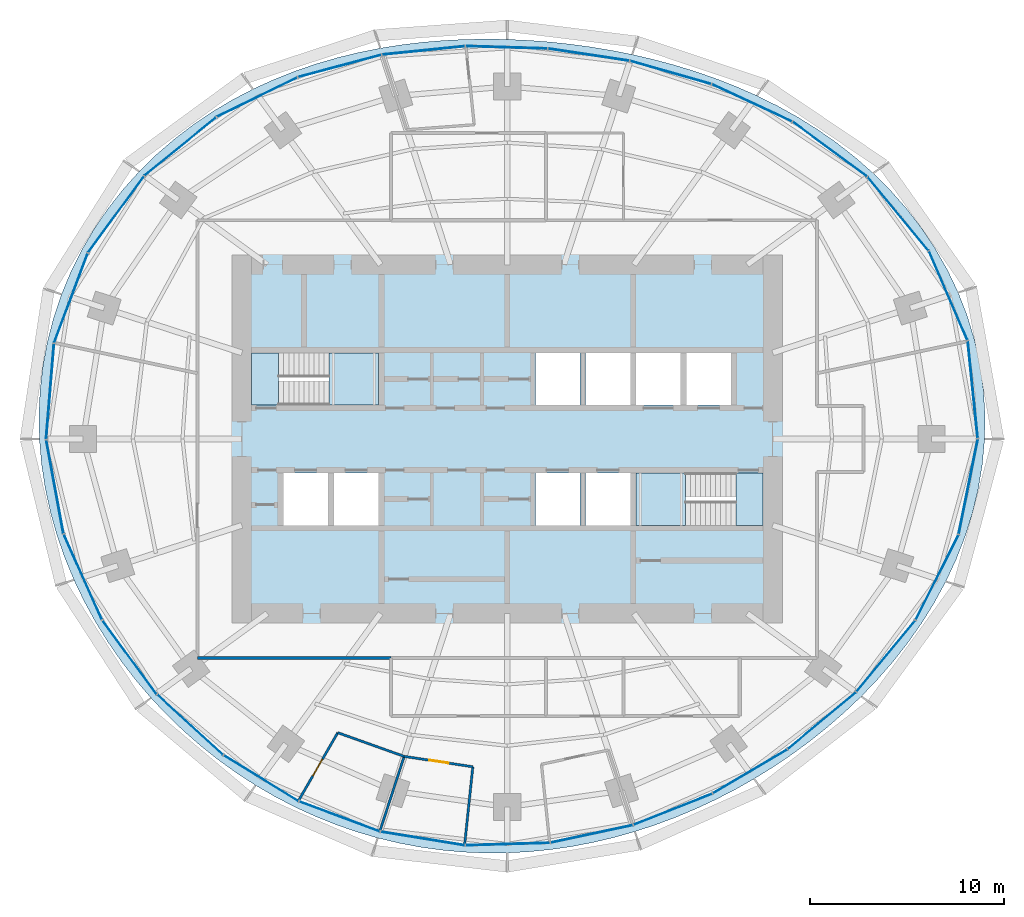
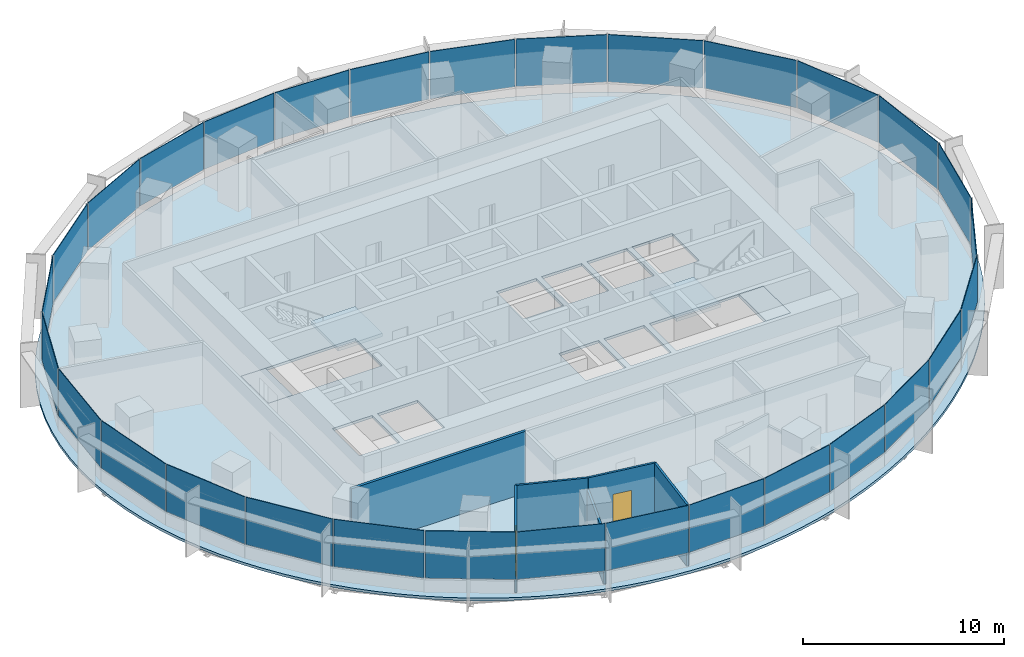
# One storey, part 9 of 15: 30 plates, 6 walls, 5 slabs, 2 doors, 2 openings, 8 elements without a shape of their own.
"""IFC4 building model written with IfcOpenShell, lengths in metres."""

from ifc_helpers import new_model, si_unit, direction, frame, frame_2d, origin, origin_2d, place, context, subcontext, project, spatial, polyline, rectangle, outline, extrude, material, layer, layer_set, type_object, element, fill, aggregate, save


model = new_model("IFC4")

# Units and contexts
model_context = context("Model", 3, precision=1e-05, world=origin(), true_north=direction((0.0, 1.0)))
body_context = subcontext(model_context, "Body", "Model", "MODEL_VIEW")
ifc_project = project(units=[si_unit("LENGTHUNIT", "METRE"), si_unit("AREAUNIT", "SQUARE_METRE"), si_unit("VOLUMEUNIT", "CUBIC_METRE"), si_unit("PLANEANGLEUNIT", "RADIAN"), si_unit("MASSUNIT", "GRAM", prefix="KILO")], contexts=[model_context])

# Site, building, storey
site_placement = place(None, origin())
site = spatial("IfcSite", under=ifc_project, at=site_placement, CompositionType="ELEMENT")
building_placement = place(site_placement, origin())
building = spatial("IfcBuilding", under=site, at=building_placement, Name="Marramba Exchange Tower", CompositionType="ELEMENT")
storey_placement = place(building_placement, frame((0.0, 0.0, 226.699951171875)))
storey = spatial("IfcBuildingStorey", under=building, at=storey_placement, Name="L55", CompositionType="ELEMENT", Elevation=226.699951171875)

# Slab
ifc_material_1 = material(Name="Concrete N40", Category="concrete")
ifc_layer_1 = layer(ifc_material_1, 0.159912109375)
ifc_layer_set_1 = layer_set([ifc_layer_1], Name="Composite floor slab 160")
slab_type_1 = type_object("IfcSlabType", Name="Composite floor slab 160", PredefinedType="FLOOR", material=ifc_layer_set_1)
slab_1_placement = place(storey_placement, frame((0.0, 0.0, -0.159912109375)))
element("IfcSlab", 1, at=slab_1_placement, inside=storey, type_object=slab_type_1, Name="Floor slab L55", PredefinedType="FLOOR", context=body_context, shape_type="SweptSolid", body=[
    extrude(outline(polyline([(24.64404296875, 0.0), (24.661376953125, 1.29248046875), (24.580078125, 2.58349609375), (24.399658203125, 3.864501953125), (24.12109375, 5.127197265625), (23.7470703125, 6.363037109375), (23.281494140625, 7.564697265625), (22.72900390625, 8.724853515625), (22.095947265625, 9.837646484375), (21.388427734375, 10.89794921875), (20.614013671875, 11.901611328125), (19.780029296875, 12.845458984375), (18.894287109375, 13.7275390625), (17.964111328125, 14.547119140625), (16.996826171875, 15.303955078125), (15.9990234375, 15.9990234375), (14.977294921875, 16.634033203125), (13.936767578125, 17.21044921875), (12.882568359375, 17.7314453125), (11.819091796875, 18.19970703125), (10.749267578125, 18.6181640625), (9.67578125, 18.989990234375), (8.60107421875, 19.318115234375), (7.52587890625, 19.60546875), (6.451171875, 19.8544921875), (5.377197265625, 20.067626953125), (4.303466796875, 20.246337890625), (3.229736328125, 20.39208984375), (2.1552734375, 20.50537109375), (1.078857421875, 20.5869140625), (0.0, 20.63623046875), (-1.082275390625, 20.652587890625), (-2.168701171875, 20.634765625), (-3.259765625, 20.580810546875), (-4.35498046875, 20.4892578125), (-5.45458984375, 20.35693359375), (-6.557373046875, 20.181884765625), (-7.662353515625, 19.9609375), (-8.76708984375, 19.691162109375), (-9.869384765625, 19.369873046875), (-10.96630859375, 18.994384765625), (-12.05419921875, 18.561767578125), (-13.128662109375, 18.070068359375), (-14.185546875, 17.517578125), (-15.218994140625, 16.902587890625), (-16.22412109375, 16.22412109375), (-17.195068359375, 15.482421875), (-18.12548828125, 14.677734375), (-19.009521484375, 13.811279296875), (-19.841064453125, 12.885009765625), (-20.614013671875, 11.901611328125), (-21.32275390625, 10.864501953125), (-21.9619140625, 9.778076171875), (-22.52685546875, 8.647216796875), (-23.01318359375, 7.477294921875), (-23.417724609375, 6.274658203125), (-23.73779296875, 5.045654296875), (-23.971923828125, 3.796875), (-24.119384765625, 2.53515625), (-24.180419921875, 1.267333984375), (-24.156005859375, 0.0), (-24.04833984375, -1.26025390625), (-23.860107421875, -2.5078125), (-23.594482421875, -3.737060546875), (-23.25537109375, -4.943115234375), (-22.846923828125, -6.121826171875), (-22.373291015625, -7.26953125), (-21.8388671875, -8.38330078125), (-21.247802734375, -9.460205078125), (-20.604248046875, -10.49853515625), (-19.912109375, -11.496337890625), (-19.174560546875, -12.4521484375), (-18.395263671875, -13.364990234375), (-17.5771484375, -14.233642578125), (-16.72265625, -15.05712890625), (-15.834228515625, -15.834228515625), (-14.914794921875, -16.564453125), (-13.966064453125, -17.24658203125), (-12.990234375, -17.879638671875), (-11.98974609375, -18.46240234375), (-10.96630859375, -18.994384765625), (-9.922607421875, -19.47412109375), (-8.860595703125, -19.901123046875), (-7.78271484375, -20.2744140625), (-6.691162109375, -20.593505859375), (-5.5888671875, -20.858154296875), (-4.478271484375, -21.068115234375), (-3.361328125, -21.22314453125), (-2.2412109375, -21.32373046875), (-1.119873046875, -21.370361328125), (0.0, -21.36376953125), (1.116455078125, -21.3046875), (2.2275390625, -21.194580078125), (3.33154296875, -21.0341796875), (4.426513671875, -20.8251953125), (5.511474609375, -20.56884765625), (6.5849609375, -20.266357421875), (7.646240234375, -19.919189453125), (8.694580078125, -19.528076171875), (9.72900390625, -19.09423828125), (10.749267578125, -18.6181640625), (11.75439453125, -18.100341796875), (12.744140625, -17.541015625), (13.71728515625, -16.939697265625), (14.6728515625, -16.2958984375), (15.609130859375, -15.609130859375), (16.5244140625, -14.878662109375), (17.415771484375, -14.10302734375), (18.280029296875, -13.28125), (19.11376953125, -12.41259765625), (19.912109375, -11.496337890625), (20.669921875, -10.531982421875), (21.3818359375, -9.519775390625), (22.041259765625, -8.4609375), (22.641845703125, -7.356689453125), (23.176513671875, -6.210205078125), (23.638671875, -5.024658203125), (24.022216796875, -3.8046875), (24.32080078125, -2.55615234375), (24.529541015625, -1.28564453125), (24.64404296875, 0.0)]), holes=[polyline([(1.449951171875, 1.75), (3.75, 1.75), (3.75, 4.449951171875), (1.449951171875, 4.449951171875), (1.449951171875, 1.75)]), polyline([(4.050048828125, 1.75), (6.35009765625, 1.75), (6.35009765625, 4.449951171875), (4.050048828125, 4.449951171875), (4.050048828125, 1.75)]), polyline([(1.449951171875, -4.449951171875), (3.75, -4.449951171875), (3.75, -1.75), (1.449951171875, -1.75), (1.449951171875, -4.449951171875)]), polyline([(4.050048828125, -4.449951171875), (6.35009765625, -4.449951171875), (6.35009765625, -1.75), (4.050048828125, -1.75), (4.050048828125, -4.449951171875)]), polyline([(6.64990234375, 1.75), (8.949951171875, 1.75), (8.949951171875, 4.449951171875), (6.64990234375, 4.449951171875), (6.64990234375, 1.75)]), polyline([(-8.949951171875, -4.449951171875), (-6.64990234375, -4.449951171875), (-6.64990234375, -1.75), (-8.949951171875, -1.75), (-8.949951171875, -4.449951171875)]), polyline([(-11.550048828125, -4.449951171875), (-9.25, -4.449951171875), (-9.25, -1.75), (-11.550048828125, -1.75), (-11.550048828125, -4.449951171875)]), polyline([(9.25, 1.75), (11.550048828125, 1.75), (11.550048828125, 4.449951171875), (9.25, 4.449951171875), (9.25, 1.75)]), polyline([(-13.199951171875, 1.75), (-6.64990234375, 1.75), (-6.64990234375, 4.449951171875), (-13.199951171875, 4.449951171875), (-13.199951171875, 1.75)]), polyline([(6.64990234375, -4.449951171875), (13.199951171875, -4.449951171875), (13.199951171875, -1.75), (6.64990234375, -1.75), (6.64990234375, -4.449951171875)])]), origin(), (0.0, 0.0, 1.0), 0.159912109375),
])

# Curtain wall, plates
ifc_material_2 = material(Name="Aluminium framing, bronze anodised", Category="aluminium")
curtain_wall_type = type_object("IfcCurtainWallType", Name="Office ribbon curtain wall", PredefinedType="USERDEFINED", material=ifc_material_2)
curtain_wall_1_placement = place(storey_placement, origin())
curtain_wall_1 = element("IfcCurtainWall", 2, at=curtain_wall_1_placement, inside=storey, type_object=curtain_wall_type, Name="Curtain wall CW4 L55 F01-F05", ObjectType="RIBBON CURTAIN WALL", PredefinedType="USERDEFINED")
ifc_material_3 = material(Name="Laminated double glazed unit 10.76 + 16 + 10.76, bronze tinted", Category="glass")
ifc_layer_2 = layer(ifc_material_3, 0.03759765625)
ifc_layer_set_2 = layer_set([ifc_layer_2], Name="Office ribbon curtain wall panel")
plate_type = type_object("IfcPlateType", Name="Office ribbon curtain wall panel", PredefinedType="CURTAIN_PANEL", material=ifc_layer_set_2)
plate_1_placement = place(storey_placement, frame((24.033203125, 2.556884765625, 0.860107421875), z_axis=(0.0, 0.0, 1.0), x_axis=(-0.101422472607, 0.994843446001, 0.0)))
plate_1 = element("IfcPlate", 3, at=plate_1_placement, type_object=plate_type, Name="CW4 vision panel", PredefinedType="CURTAIN_PANEL", context=body_context, shape_type="SweptSolid", body=[
    extrude(rectangle(XDim=5.0205078125, YDim=0.03759765625, at=origin_2d()), origin(), (0.0, 0.0, 1.0), 2.8798828125),
])
plate_2_placement = place(storey_placement, frame((22.765625, 7.40234375, 0.860107421875), z_axis=(0.0, 0.0, 1.0), x_axis=(-0.396193346946, 0.918167104527, 0.0)))
plate_2 = element("IfcPlate", 4, at=plate_2_placement, type_object=plate_type, Name="CW4 vision panel", PredefinedType="CURTAIN_PANEL", context=body_context, shape_type="SweptSolid", body=[
    extrude(rectangle(XDim=4.99462890625, YDim=0.03759765625, at=origin_2d()), origin(), (0.0, 0.0, 1.0), 2.8798828125),
])
plate_3_placement = place(storey_placement, frame((20.174560546875, 11.631591796875, 0.860107421875), z_axis=(0.0, 0.0, 1.0), x_axis=(-0.637350227411, 0.770574258342, 0.0)))
plate_3 = element("IfcPlate", 5, at=plate_3_placement, type_object=plate_type, Name="CW4 vision panel", PredefinedType="CURTAIN_PANEL", context=body_context, shape_type="SweptSolid", body=[
    extrude(rectangle(XDim=4.90576171875, YDim=0.03759765625, at=origin_2d()), origin(), (0.0, 0.0, 1.0), 2.8798828125),
])
plate_4_placement = place(storey_placement, frame((16.653076171875, 14.965576171875, 0.860107421875), z_axis=(0.0, 0.0, 1.0), x_axis=(-0.804877259395, 0.593441317494, 0.0)))
plate_4 = element("IfcPlate", 6, at=plate_4_placement, type_object=plate_type, Name="CW4 vision panel", PredefinedType="CURTAIN_PANEL", context=body_context, shape_type="SweptSolid", body=[
    extrude(rectangle(XDim=4.745849609375, YDim=0.03759765625, at=origin_2d()), origin(), (0.0, 0.0, 1.0), 2.8798828125),
])
plate_5_placement = place(storey_placement, frame((12.63134765625, 17.357177734375, 0.860107421875), z_axis=(0.0, 0.0, 1.0), x_axis=(-0.906533907301, 0.422133006189, 0.0)))
plate_5 = element("IfcPlate", 7, at=plate_5_placement, type_object=plate_type, Name="CW4 vision panel", PredefinedType="CURTAIN_PANEL", context=body_context, shape_type="SweptSolid", body=[
    extrude(rectangle(XDim=4.53857421875, YDim=0.03759765625, at=origin_2d()), origin(), (0.0, 0.0, 1.0), 2.8798828125),
])
aggregate(curtain_wall_1, [plate_1, plate_2, plate_3, plate_4, plate_5])

curtain_wall_2_placement = place(storey_placement, origin())
curtain_wall_2 = element("IfcCurtainWall", 8, at=curtain_wall_2_placement, inside=storey, type_object=curtain_wall_type, Name="Curtain wall CW4 L55 F06-F10", ObjectType="RIBBON CURTAIN WALL", PredefinedType="USERDEFINED")
plate_6_placement = place(storey_placement, frame((8.4296875, 18.926513671875, 0.860107421875), z_axis=(0.0, 0.0, 1.0), x_axis=(-0.961658954195, 0.274248164656, 0.0)))
plate_6 = element("IfcPlate", 9, at=plate_6_placement, type_object=plate_type, Name="CW4 vision panel", PredefinedType="CURTAIN_PANEL", context=body_context, shape_type="SweptSolid", body=[
    extrude(rectangle(XDim=4.33984375, YDim=0.03759765625, at=origin_2d()), origin(), (0.0, 0.0, 1.0), 2.8798828125),
])
plate_7_placement = place(storey_placement, frame((4.201171875, 19.843994140625, 0.860107421875), z_axis=(0.0, 0.0, 1.0), x_axis=(-0.988868065698, 0.148794988635, 0.0)))
plate_7 = element("IfcPlate", 10, at=plate_7_placement, type_object=plate_type, Name="CW4 vision panel", PredefinedType="CURTAIN_PANEL", context=body_context, shape_type="SweptSolid", body=[
    extrude(rectangle(XDim=4.2119140625, YDim=0.03759765625, at=origin_2d()), origin(), (0.0, 0.0, 1.0), 2.8798828125),
])
plate_8_placement = place(storey_placement, frame((-0.036865234375, 20.222900390625, 0.860107421875), z_axis=(0.0, 0.0, 1.0), x_axis=(-0.999538000143, 0.03039385249, 0.0)))
plate_8 = element("IfcPlate", 11, at=plate_8_placement, type_object=plate_type, Name="CW4 vision panel", PredefinedType="CURTAIN_PANEL", context=body_context, shape_type="SweptSolid", body=[
    extrude(rectangle(XDim=4.19287109375, YDim=0.03759765625, at=origin_2d()), origin(), (0.0, 0.0, 1.0), 2.8798828125),
])
plate_9_placement = place(storey_placement, frame((-4.320556640625, 20.064697265625, 0.860107421875), z_axis=(0.0, 0.0, 1.0), x_axis=(-0.994900357369, -0.100862673507, 0.0)))
plate_9 = element("IfcPlate", 12, at=plate_9_placement, type_object=plate_type, Name="CW4 vision panel", PredefinedType="CURTAIN_PANEL", context=body_context, shape_type="SweptSolid", body=[
    extrude(rectangle(XDim=4.279296875, YDim=0.03759765625, at=origin_2d()), origin(), (0.0, 0.0, 1.0), 2.8798828125),
])
plate_10_placement = place(storey_placement, frame((-8.6494140625, 19.262451171875, 0.860107421875), z_axis=(0.0, 0.0, 1.0), x_axis=(-0.966240653155, -0.257641223778, 0.0)))
plate_10 = element("IfcPlate", 13, at=plate_10_placement, type_object=plate_type, Name="CW4 vision panel", PredefinedType="CURTAIN_PANEL", context=body_context, shape_type="SweptSolid", body=[
    extrude(rectangle(XDim=4.433837890625, YDim=0.03759765625, at=origin_2d()), origin(), (0.0, 0.0, 1.0), 2.8798828125),
])
aggregate(curtain_wall_2, [plate_6, plate_7, plate_8, plate_9, plate_10])

curtain_wall_3_placement = place(storey_placement, origin())
curtain_wall_3 = element("IfcCurtainWall", 14, at=curtain_wall_3_placement, inside=storey, type_object=curtain_wall_type, Name="Curtain wall CW4 L55 F11-F15", ObjectType="RIBBON CURTAIN WALL", PredefinedType="USERDEFINED")
plate_11_placement = place(storey_placement, frame((-12.9150390625, 17.653564453125, 0.860107421875), z_axis=(0.0, 0.0, 1.0), x_axis=(-0.898500518805, -0.438972456661, 0.0)))
plate_11 = element("IfcPlate", 15, at=plate_11_placement, type_object=plate_type, Name="CW4 vision panel", PredefinedType="CURTAIN_PANEL", context=body_context, shape_type="SweptSolid", body=[
    extrude(rectangle(XDim=4.607177734375, YDim=0.03759765625, at=origin_2d()), origin(), (0.0, 0.0, 1.0), 2.8798828125),
])
plate_12_placement = place(storey_placement, frame((-16.87890625, 15.10498046875, 0.860107421875), z_axis=(0.0, 0.0, 1.0), x_axis=(-0.776432169145, -0.630200830464, 0.0)))
plate_12 = element("IfcPlate", 16, at=plate_12_placement, type_object=plate_type, Name="CW4 vision panel", PredefinedType="CURTAIN_PANEL", context=body_context, shape_type="SweptSolid", body=[
    extrude(rectangle(XDim=4.7587890625, YDim=0.03759765625, at=origin_2d()), origin(), (0.0, 0.0, 1.0), 2.8798828125),
])
plate_13_placement = place(storey_placement, frame((-20.2021484375, 11.596435546875, 0.860107421875), z_axis=(0.0, 0.0, 1.0), x_axis=(-0.591962922138, -0.805965197024, 0.0)))
plate_13 = element("IfcPlate", 17, at=plate_13_placement, type_object=plate_type, Name="CW4 vision panel", PredefinedType="CURTAIN_PANEL", context=body_context, shape_type="SweptSolid", body=[
    extrude(rectangle(XDim=4.865478515625, YDim=0.03759765625, at=origin_2d()), origin(), (0.0, 0.0, 1.0), 2.8798828125),
])
plate_14_placement = place(storey_placement, frame((-22.529296875, 7.276123046875, 0.860107421875), z_axis=(0.0, 0.0, 1.0), x_axis=(-0.351951515885, -0.936018231909, 0.0)))
plate_14 = element("IfcPlate", 18, at=plate_14_placement, type_object=plate_type, Name="CW4 vision panel", PredefinedType="CURTAIN_PANEL", context=body_context, shape_type="SweptSolid", body=[
    extrude(rectangle(XDim=4.921630859375, YDim=0.03759765625, at=origin_2d()), origin(), (0.0, 0.0, 1.0), 2.8798828125),
])
plate_15_placement = place(storey_placement, frame((-23.603271484375, 2.45654296875, 0.860107421875), z_axis=(0.0, 0.0, 1.0), x_axis=(-0.082280890264, -0.996609178714, 0.0)))
plate_15 = element("IfcPlate", 19, at=plate_15_placement, type_object=plate_type, Name="CW4 vision panel", PredefinedType="CURTAIN_PANEL", context=body_context, shape_type="SweptSolid", body=[
    extrude(rectangle(XDim=4.9296875, YDim=0.03759765625, at=origin_2d()), origin(), (0.0, 0.0, 1.0), 2.8798828125),
])
aggregate(curtain_wall_3, [plate_11, plate_12, plate_13, plate_14, plate_15])

curtain_wall_4_placement = place(storey_placement, origin())
curtain_wall_4 = element("IfcCurtainWall", 20, at=curtain_wall_4_placement, inside=storey, type_object=curtain_wall_type, Name="Curtain wall CW4 L55 F16-F20", ObjectType="RIBBON CURTAIN WALL", PredefinedType="USERDEFINED")
plate_16_placement = place(storey_placement, frame((-23.354248046875, -2.464599609375, 0.860107421875), z_axis=(0.0, 0.0, 1.0), x_axis=(0.180327438996, -0.983606636184, 0.0)))
plate_16 = element("IfcPlate", 21, at=plate_16_placement, type_object=plate_type, Name="CW4 vision panel", PredefinedType="CURTAIN_PANEL", context=body_context, shape_type="SweptSolid", body=[
    extrude(rectangle(XDim=4.8916015625, YDim=0.03759765625, at=origin_2d()), origin(), (0.0, 0.0, 1.0), 2.8798828125),
])
plate_17_placement = place(storey_placement, frame((-21.908447265625, -7.12158203125, 0.860107421875), z_axis=(0.0, 0.0, 1.0), x_axis=(0.407557580942, -0.913179510401, 0.0)))
plate_17 = element("IfcPlate", 22, at=plate_17_placement, type_object=plate_type, Name="CW4 vision panel", PredefinedType="CURTAIN_PANEL", context=body_context, shape_type="SweptSolid", body=[
    extrude(rectangle(XDim=4.810302734375, YDim=0.03759765625, at=origin_2d()), origin(), (0.0, 0.0, 1.0), 2.8798828125),
])
plate_18_placement = place(storey_placement, frame((-19.50244140625, -11.2626953125, 0.860107421875), z_axis=(0.0, 0.0, 1.0), x_axis=(0.591223103363, -0.806508054547, 0.0)))
plate_18 = element("IfcPlate", 23, at=plate_18_placement, type_object=plate_type, Name="CW4 vision panel", PredefinedType="CURTAIN_PANEL", context=body_context, shape_type="SweptSolid", body=[
    extrude(rectangle(XDim=4.703125, YDim=0.03759765625, at=origin_2d()), origin(), (0.0, 0.0, 1.0), 2.8798828125),
])
plate_19_placement = place(storey_placement, frame((-16.374267578125, -14.752197265625, 0.860107421875), z_axis=(0.0, 0.0, 1.0), x_axis=(0.737203264245, -0.67567103474, 0.0)))
plate_19 = element("IfcPlate", 24, at=plate_19_placement, type_object=plate_type, Name="CW4 vision panel", PredefinedType="CURTAIN_PANEL", context=body_context, shape_type="SweptSolid", body=[
    extrude(rectangle(XDim=4.594970703125, YDim=0.03759765625, at=origin_2d()), origin(), (0.0, 0.0, 1.0), 2.8798828125),
])
plate_20_placement = place(storey_placement, frame((-12.71044921875, -17.513427734375, 0.860107421875), z_axis=(0.0, 0.0, 1.0), x_axis=(0.85230101176, -0.52305160869, 0.0)))
plate_20 = element("IfcPlate", 25, at=plate_20_placement, type_object=plate_type, Name="CW4 vision panel", PredefinedType="CURTAIN_PANEL", context=body_context, shape_type="SweptSolid", body=[
    extrude(rectangle(XDim=4.503173828125, YDim=0.03759765625, at=origin_2d()), origin(), (0.0, 0.0, 1.0), 2.8798828125),
])
aggregate(curtain_wall_4, [plate_16, plate_17, plate_18, plate_19, plate_20])

curtain_wall_5_placement = place(storey_placement, origin())
curtain_wall_5 = element("IfcCurtainWall", 26, at=curtain_wall_5_placement, inside=storey, type_object=curtain_wall_type, Name="Curtain wall CW4 L55 F21-F25", ObjectType="RIBBON CURTAIN WALL", PredefinedType="USERDEFINED")
plate_21_placement = place(storey_placement, frame((-8.6591796875, -19.486572265625, 0.860107421875), z_axis=(0.0, 0.0, 1.0), x_axis=(0.936951583142, -0.349459197687, 0.0)))
plate_21 = element("IfcPlate", 27, at=plate_21_placement, type_object=plate_type, Name="CW4 vision panel", PredefinedType="CURTAIN_PANEL", context=body_context, shape_type="SweptSolid", body=[
    extrude(rectangle(XDim=4.431396484375, YDim=0.03759765625, at=origin_2d()), origin(), (0.0, 0.0, 1.0), 2.8798828125),
])
plate_22_placement = place(storey_placement, frame((-4.3642578125, -20.623046875, 0.860107421875), z_axis=(0.0, 0.0, 1.0), x_axis=(0.986930623159, -0.161145726194, 0.0)))
plate_22 = element("IfcPlate", 28, at=plate_22_placement, type_object=plate_type, Name="CW4 vision panel", PredefinedType="CURTAIN_PANEL", context=body_context, shape_type="SweptSolid", body=[
    extrude(rectangle(XDim=4.37646484375, YDim=0.03759765625, at=origin_2d()), origin(), (0.0, 0.0, 1.0), 2.8798828125),
])
plate_23_placement = place(storey_placement, frame((0.023193359375, -20.91015625, 0.860107421875), z_axis=(0.0, 0.0, 1.0), x_axis=(0.99956791915, 0.029393451762, 0.0)))
plate_23 = element("IfcPlate", 29, at=plate_23_placement, type_object=plate_type, Name="CW4 vision panel", PredefinedType="CURTAIN_PANEL", context=body_context, shape_type="SweptSolid", body=[
    extrude(rectangle(XDim=4.337646484375, YDim=0.03759765625, at=origin_2d()), origin(), (0.0, 0.0, 1.0), 2.8798828125),
])
plate_24_placement = place(storey_placement, frame((4.36328125, -20.3837890625, 0.860107421875), z_axis=(0.0, 0.0, 1.0), x_axis=(0.978058069607, 0.208332456608, 0.0)))
plate_24 = element("IfcPlate", 30, at=plate_24_placement, type_object=plate_type, Name="CW4 vision panel", PredefinedType="CURTAIN_PANEL", context=body_context, shape_type="SweptSolid", body=[
    extrude(rectangle(XDim=4.32177734375, YDim=0.03759765625, at=origin_2d()), origin(), (0.0, 0.0, 1.0), 2.8798828125),
])
plate_25_placement = place(storey_placement, frame((8.553466796875, -19.11328125, 0.860107421875), z_axis=(0.0, 0.0, 1.0), x_axis=(0.93007301435, 0.367374724195, 0.0)))
plate_25 = element("IfcPlate", 31, at=plate_25_placement, type_object=plate_type, Name="CW4 vision panel", PredefinedType="CURTAIN_PANEL", context=body_context, shape_type="SweptSolid", body=[
    extrude(rectangle(XDim=4.345458984375, YDim=0.03759765625, at=origin_2d()), origin(), (0.0, 0.0, 1.0), 2.8798828125),
])
aggregate(curtain_wall_5, [plate_21, plate_22, plate_23, plate_24, plate_25])

curtain_wall_6_placement = place(storey_placement, origin())
curtain_wall_6 = element("IfcCurtainWall", 32, at=curtain_wall_6_placement, inside=storey, type_object=curtain_wall_type, Name="Curtain wall CW4 L55 F26-F30", ObjectType="RIBBON CURTAIN WALL", PredefinedType="USERDEFINED")
plate_26_placement = place(storey_placement, frame((12.5322265625, -17.16015625, 0.860107421875), z_axis=(0.0, 0.0, 1.0), x_axis=(0.861350833897, 0.508010571686, 0.0)))
plate_26 = element("IfcPlate", 33, at=plate_26_placement, type_object=plate_type, Name="CW4 vision panel", PredefinedType="CURTAIN_PANEL", context=body_context, shape_type="SweptSolid", body=[
    extrude(rectangle(XDim=4.426513671875, YDim=0.03759765625, at=origin_2d()), origin(), (0.0, 0.0, 1.0), 2.8798828125),
])
plate_27_placement = place(storey_placement, frame((16.240966796875, -14.536376953125, 0.860107421875), z_axis=(0.0, 0.0, 1.0), x_axis=(0.768736798421, 0.639565270127, 0.0)))
plate_27 = element("IfcPlate", 34, at=plate_27_placement, type_object=plate_type, Name="CW4 vision panel", PredefinedType="CURTAIN_PANEL", context=body_context, shape_type="SweptSolid", body=[
    extrude(rectangle(XDim=4.568603515625, YDim=0.03759765625, at=origin_2d()), origin(), (0.0, 0.0, 1.0), 2.8798828125),
])
plate_28_placement = place(storey_placement, frame((19.548583984375, -11.203369140625, 0.860107421875), z_axis=(0.0, 0.0, 1.0), x_axis=(0.63814998673, 0.769912069289, 0.0)))
plate_28 = element("IfcPlate", 35, at=plate_28_placement, type_object=plate_type, Name="CW4 vision panel", PredefinedType="CURTAIN_PANEL", context=body_context, shape_type="SweptSolid", body=[
    extrude(rectangle(XDim=4.7431640625, YDim=0.03759765625, at=origin_2d()), origin(), (0.0, 0.0, 1.0), 2.8798828125),
])
plate_29_placement = place(storey_placement, frame((22.19287109375, -7.137939453125, 0.860107421875), z_axis=(0.0, 0.0, 1.0), x_axis=(0.450673083956, 0.892689067591, 0.0)))
plate_29 = element("IfcPlate", 36, at=plate_29_placement, type_object=plate_type, Name="CW4 vision panel", PredefinedType="CURTAIN_PANEL", context=body_context, shape_type="SweptSolid", body=[
    extrude(rectangle(XDim=4.897705078125, YDim=0.03759765625, at=origin_2d()), origin(), (0.0, 0.0, 1.0), 2.8798828125),
])
plate_30_placement = place(storey_placement, frame((23.801025390625, -2.446533203125, 0.860107421875), z_axis=(0.0, 0.0, 1.0), x_axis=(0.197495405316, 0.980303812539, 0.0)))
plate_30 = element("IfcPlate", 37, at=plate_30_placement, type_object=plate_type, Name="CW4 vision panel", PredefinedType="CURTAIN_PANEL", context=body_context, shape_type="SweptSolid", body=[
    extrude(rectangle(XDim=4.9912109375, YDim=0.03759765625, at=origin_2d()), origin(), (0.0, 0.0, 1.0), 2.8798828125),
])
aggregate(curtain_wall_6, [plate_26, plate_27, plate_28, plate_29, plate_30])

# Stair, slabs
ifc_material_4 = material(Name="Concrete N40 (40 MPa)", Category="concrete")
stair_type_1 = type_object("IfcStairType", Name="Exit stair ST1 3900 x 1250", PredefinedType="HALF_TURN_STAIR", material=ifc_material_4)
stair_1_placement = place(storey_placement, origin())
stair_1 = element("IfcStair", 38, at=stair_1_placement, inside=storey, type_object=stair_type_1, Name="Exit stair ST1 L55", PredefinedType="HALF_TURN_STAIR")
ifc_layer_3 = layer(ifc_material_4, 0.199951171875)
ifc_layer_set_3 = layer_set([ifc_layer_3], Name="Stair landing 200")
slab_type_2 = type_object("IfcSlabType", Name="Stair landing 200", PredefinedType="LANDING", material=ifc_layer_set_3)
slab_2_placement = place(storey_placement, frame((0.0, 0.0, -0.199951171875)))
slab_2 = element("IfcSlab", 39, at=slab_2_placement, type_object=slab_type_2, Name="ST1 landing 1", PredefinedType="LANDING", context=body_context, shape_type="SweptSolid", body=[
    extrude(outline(polyline([(-13.199951171875, 1.75), (-11.800048828125, 1.75), (-11.800048828125, 4.449951171875), (-13.199951171875, 4.449951171875), (-13.199951171875, 1.75)])), origin(), (0.0, 0.0, 1.0), 0.199951171875),
])
slab_3_placement = place(storey_placement, frame((0.0, 0.0, 1.75)))
slab_3 = element("IfcSlab", 40, at=slab_3_placement, type_object=slab_type_2, Name="ST1 landing 2", PredefinedType="LANDING", context=body_context, shape_type="SweptSolid", body=[
    extrude(outline(polyline([(-9.199951171875, 1.75), (-6.64990234375, 1.75), (-6.64990234375, 4.449951171875), (-9.199951171875, 4.449951171875), (-9.199951171875, 1.75)])), origin(), (0.0, 0.0, 1.0), 0.199951171875),
])
aggregate(stair_1, [slab_2, slab_3])

stair_type_2 = type_object("IfcStairType", Name="Exit stair ST2 3900 x 1250", PredefinedType="HALF_TURN_STAIR", material=ifc_material_4)
stair_2_placement = place(storey_placement, origin())
stair_2 = element("IfcStair", 41, at=stair_2_placement, inside=storey, type_object=stair_type_2, Name="Exit stair ST2 L55", PredefinedType="HALF_TURN_STAIR")
slab_4_placement = place(storey_placement, frame((0.0, 0.0, -0.199951171875)))
slab_4 = element("IfcSlab", 42, at=slab_4_placement, type_object=slab_type_2, Name="ST2 landing 1", PredefinedType="LANDING", context=body_context, shape_type="SweptSolid", body=[
    extrude(outline(polyline([(11.800048828125, -4.449951171875), (13.199951171875, -4.449951171875), (13.199951171875, -1.75), (11.800048828125, -1.75), (11.800048828125, -4.449951171875)])), origin(), (0.0, 0.0, 1.0), 0.199951171875),
])
slab_5_placement = place(storey_placement, frame((0.0, 0.0, 1.75)))
slab_5 = element("IfcSlab", 43, at=slab_5_placement, type_object=slab_type_2, Name="ST2 landing 2", PredefinedType="LANDING", context=body_context, shape_type="SweptSolid", body=[
    extrude(outline(polyline([(6.64990234375, -4.449951171875), (9.199951171875, -4.449951171875), (9.199951171875, -1.75), (6.64990234375, -1.75), (6.64990234375, -4.449951171875)])), origin(), (0.0, 0.0, 1.0), 0.199951171875),
])
aggregate(stair_2, [slab_4, slab_5])

# Wall, opening, door
ifc_material_5 = material(Name="Plasterboard on steel studs", Category="steel")
ifc_layer_4 = layer(ifc_material_5, 0.1201171875)
ifc_layer_set_4 = layer_set([ifc_layer_4], Name="Partition 120")
wall_type_1 = type_object("IfcWallType", Name="Partition 120", PredefinedType="PARTITIONING", material=ifc_layer_set_4)
wall_1_placement = place(storey_placement, frame((-8.75146484375, -15.15771484375, 0.0), z_axis=(0.0, 0.0, 1.0), x_axis=(-0.49999894854, -0.866026010844, 0.0)))
wall_1 = element("IfcWall", 44, at=wall_1_placement, inside=storey, type_object=wall_type_1, Name="Partition L55 02", PredefinedType="PARTITIONING", context=body_context, shape_type="SweptSolid", body=[
    extrude(rectangle(XDim=4.0, YDim=0.1201171875, at=frame_2d((2.0, 0.0))), origin(), (0.0, 0.0, 1.0), 3.739990234375),
])
opening_1_placement = place(wall_1_placement, frame((1.576904296875, 0.0, 0.0)))
opening_1 = element("IfcOpeningElement", 45, at=opening_1_placement, cuts=wall_1, Name="Opening D9", PredefinedType="OPENING", context=body_context, shape_type="SweptSolid", body=[
    extrude(rectangle(XDim=1.0, YDim=2.39990234375, at=frame_2d((0.5, 1.199951171875))), frame((0.0, 0.070068359375, 0.0), z_axis=(0.0, -1.0, 0.0), x_axis=(1.0, 0.0, 0.0)), (0.0, 0.0, 1.0), 0.14013671875),
])
ifc_material_6 = material(Name="Timber door", Category="wood")
door_type = type_object("IfcDoorType", Name="Room door 1000x2400", OperationType="SINGLE_SWING_LEFT", PredefinedType="DOOR", material=ifc_material_6)
door_1_placement = place(opening_1_placement, origin())
door_1 = element("IfcDoor", 46, at=door_1_placement, inside=storey, type_object=door_type, Name="D9 Office 2 L55", OperationType="SINGLE_SWING_RIGHT", OverallHeight=2.39990234375, OverallWidth=1.0, PredefinedType="DOOR", context=body_context, shape_type="SweptSolid", body=[
    extrude(rectangle(XDim=1.0, YDim=2.39990234375, at=frame_2d((0.5, 1.199951171875))), frame((0.0, 0.02490234375, 0.0), z_axis=(0.0, -1.0, 0.0), x_axis=(1.0, 0.0, 0.0)), (0.0, 0.0, 1.0), 0.050048828125),
])
fill(opening_1, door_1)

# Walls
wall_2_placement = place(storey_placement, frame((-5.322265625, -16.38037109375, 0.0), z_axis=(0.0, 0.0, 1.0), x_axis=(-0.94192080639, 0.335835070369, 0.0)))
element("IfcWall", 47, at=wall_2_placement, inside=storey, type_object=wall_type_1, Name="Partition L55 04", PredefinedType="PARTITIONING", context=body_context, shape_type="SweptSolid", body=[
    extrude(rectangle(XDim=3.640625, YDim=0.1201171875, at=frame_2d((1.8203125, 0.0))), origin(), (0.0, 0.0, 1.0), 3.739990234375),
])
wall_3_placement = place(storey_placement, frame((-5.322265625, -16.38037109375, 0.0), z_axis=(0.0, 0.0, 1.0), x_axis=(-0.3090046493, -0.951060527364, 0.0)))
element("IfcWall", 48, at=wall_3_placement, inside=storey, type_object=wall_type_1, Name="Partition L55 05", PredefinedType="PARTITIONING", context=body_context, shape_type="SweptSolid", body=[
    extrude(rectangle(XDim=4.000244140625, YDim=0.1201171875, at=frame_2d((2.0, 0.0))), origin(), (0.0, 0.0, 1.0), 3.0400390625),
])

# Wall, opening, door
wall_4_placement = place(storey_placement, frame((-1.7783203125, -16.91796875, 0.0), z_axis=(0.0, 0.0, 1.0), x_axis=(-0.988689198666, 0.149978893322, 0.0)))
wall_4 = element("IfcWall", 49, at=wall_4_placement, inside=storey, type_object=wall_type_1, Name="Partition L55 06", PredefinedType="PARTITIONING", context=body_context, shape_type="SweptSolid", body=[
    extrude(rectangle(XDim=3.58447265625, YDim=0.1201171875, at=frame_2d((1.792236328125, 0.0))), origin(), (0.0, 0.0, 1.0), 3.739990234375),
])
opening_2_placement = place(wall_4_placement, frame((1.26708984375, 0.0, 0.0)))
opening_2 = element("IfcOpeningElement", 50, at=opening_2_placement, cuts=wall_4, Name="Opening D9", PredefinedType="OPENING", context=body_context, shape_type="SweptSolid", body=[
    extrude(rectangle(XDim=1.0, YDim=2.39990234375, at=frame_2d((0.5, 1.199951171875))), frame((0.0, 0.070068359375, 0.0), z_axis=(0.0, -1.0, 0.0), x_axis=(1.0, 0.0, 0.0)), (0.0, 0.0, 1.0), 0.14013671875),
])
door_2_placement = place(opening_2_placement, origin())
door_2 = element("IfcDoor", 51, at=door_2_placement, inside=storey, type_object=door_type, Name="D9 Office 4 L55", OperationType="SINGLE_SWING_LEFT", OverallHeight=2.39990234375, OverallWidth=1.0, PredefinedType="DOOR", context=body_context, shape_type="SweptSolid", body=[
    extrude(rectangle(XDim=1.0, YDim=2.39990234375, at=frame_2d((0.5, 1.199951171875))), frame((0.0, 0.02490234375, 0.0), z_axis=(0.0, -1.0, 0.0), x_axis=(1.0, 0.0, 0.0)), (0.0, 0.0, 1.0), 0.050048828125),
])
fill(opening_2, door_2)

# Walls
wall_5_placement = place(storey_placement, frame((-2.1962890625, -20.89599609375, 0.0), z_axis=(0.0, 0.0, 1.0), x_axis=(0.104494148666, 0.99452550138, 0.0)))
element("IfcWall", 52, at=wall_5_placement, inside=storey, type_object=wall_type_1, Name="Partition L55 09", PredefinedType="PARTITIONING", context=body_context, shape_type="SweptSolid", body=[
    extrude(rectangle(XDim=4.0, YDim=0.1201171875, at=frame_2d((2.0, 0.0))), origin(), (0.0, 0.0, 1.0), 3.739990234375),
])
ifc_material_7 = material(Name="Fire-rated plasterboard on steel studs, acoustic insulation", Category="steel")
ifc_layer_5 = layer(ifc_material_7, 0.14990234375)
ifc_layer_set_5 = layer_set([ifc_layer_5], Name="Tenancy wall 150")
wall_type_2 = type_object("IfcWallType", Name="Tenancy wall 150", PredefinedType="PARTITIONING", material=ifc_layer_set_5)
wall_6_placement = place(storey_placement, frame((-16.0, -11.300048828125, 0.0), z_axis=(0.0, 0.0, 1.0), x_axis=(1.0, 0.0, 0.0)))
element("IfcWall", 53, at=wall_6_placement, inside=storey, type_object=wall_type_2, Name="Tenancy wall L55 01", PredefinedType="PARTITIONING", context=body_context, shape_type="SweptSolid", body=[
    extrude(rectangle(XDim=10.0, YDim=0.14990234375, at=frame_2d((5.0, 0.0))), origin(), (0.0, 0.0, 1.0), 3.739990234375),
])

save(model, "model.ifc")
